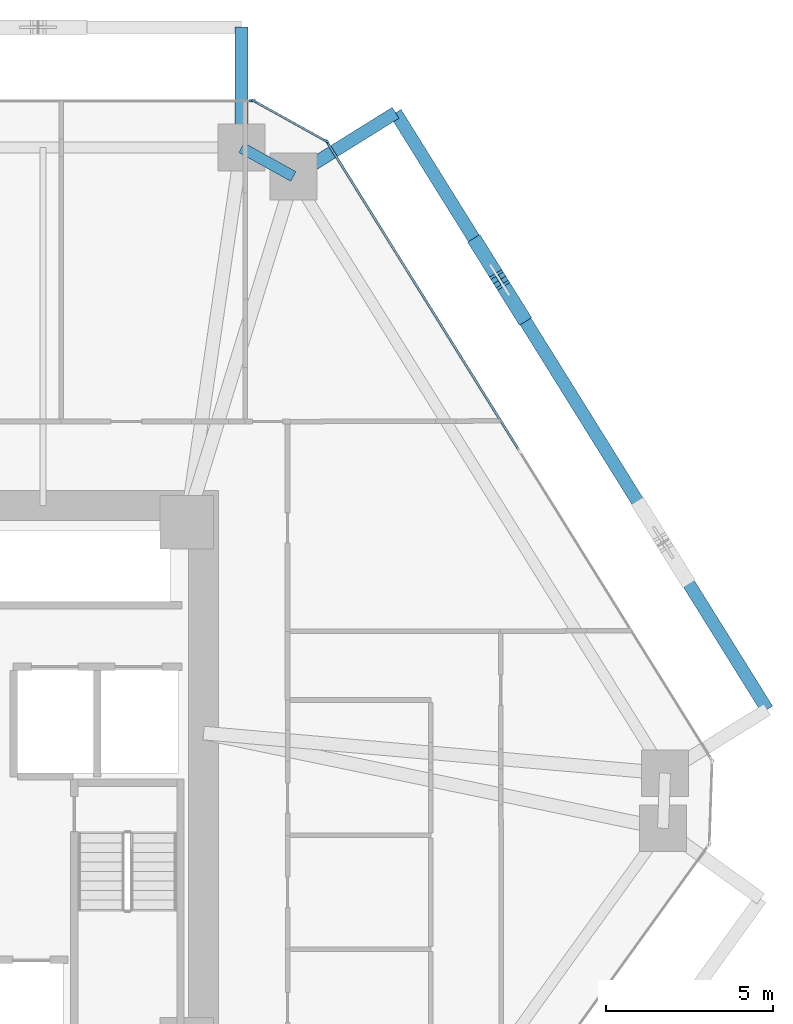
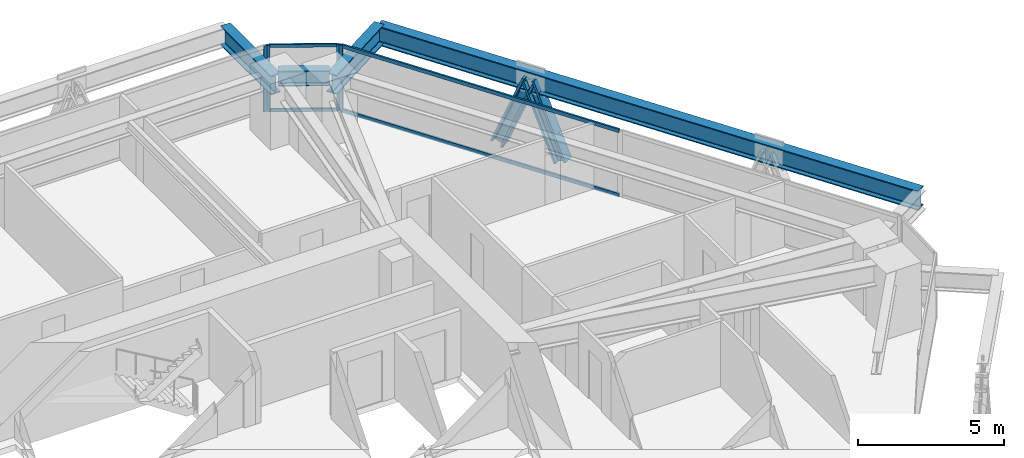
# One storey, part 9 of 18: 10 members, 4 beams, 3 elements without a shape of their own.
"""IFC4 building model written with IfcOpenShell, lengths in metres."""

from ifc_helpers import new_model, si_unit, direction, frame, origin, origin_2d, place, context, subcontext, project, spatial, rectangle, i_section, extrude, source, transform, mapped, material, layer, layer_set, material_profile, profile_set, type_object, type_shapes, element, aggregate, save


model = new_model("IFC4")

# Units and contexts
model_context = context("Model", 3, precision=1e-05, world=origin(), true_north=direction((0.0, 1.0)))
body_context = subcontext(model_context, "Body", "Model", "MODEL_VIEW")
ifc_project = project(units=[si_unit("LENGTHUNIT", "METRE"), si_unit("AREAUNIT", "SQUARE_METRE"), si_unit("VOLUMEUNIT", "CUBIC_METRE"), si_unit("PLANEANGLEUNIT", "RADIAN"), si_unit("MASSUNIT", "GRAM", prefix="KILO")], contexts=[model_context])

# Site, building, storey
site_placement = place(None, origin())
site = spatial("IfcSite", under=ifc_project, at=site_placement, CompositionType="ELEMENT")
building_placement = place(site_placement, origin())
building = spatial("IfcBuilding", under=site, at=building_placement, Name="Durnholm Broadcast Tower", CompositionType="ELEMENT")
storey_placement = place(building_placement, frame((0.0, 0.0, 78.300048828125)))
storey = spatial("IfcBuildingStorey", under=building, at=storey_placement, Name="L20", CompositionType="ELEMENT", Elevation=78.300048828125)

# Beams
ifc_material_1 = material(Name="Steel ASTM A992 Grade 50", Category="steel")
ifc_material_profile_1 = material_profile(ifc_material_1, i_section(OverallWidth=0.3291015625, OverallDepth=0.635009765625, WebThickness=0.017822265625, FlangeThickness=0.031005859375, FilletRadius=0.02783203125, at=origin_2d()), Name="W24X162")
ifc_profile_set_1 = profile_set([ifc_material_profile_1], Name="Steel ASTM A992 Grade 50")
beam_type_1 = type_object("IfcBeamType", Name="STL-SP-W24X162", PredefinedType="SPANDREL", material=ifc_profile_set_1)
shared_shape_1 = source(origin(), body_context, "Body", "SweptSolid", [
    extrude(i_section(OverallWidth=0.3291015625, OverallDepth=0.635009765625, WebThickness=0.017822265625, FlangeThickness=0.031005859375, FilletRadius=0.02783203125, at=origin_2d()), origin(), (0.0, 0.0, 1.0), 1.774658203125),
])
type_shapes(beam_type_1, [shared_shape_1])
beam_1_placement = place(storey_placement, frame((11.43115234375, 19.0, 2.427490234375), z_axis=(0.874248107979, -0.485479397806, 0.0), x_axis=(0.485479397806, 0.874248107979, 0.0)))
element("IfcBeam", 1, at=beam_1_placement, inside=storey, type_object=beam_type_1, Name="L20 perimeter spandrel girder 06", PredefinedType="SPANDREL", context=body_context, shape_type="MappedRepresentation", body=[
    mapped(shared_shape_1, transform((0.0, 0.0, 0.0), x_axis=(1.0, 0.0, 0.0), y_axis=(0.0, 1.0, 0.0), z_axis=(0.0, 0.0, 1.0), scale=1.0)),
])
ifc_material_profile_2 = material_profile(ifc_material_1, i_section(OverallWidth=0.385009765625, OverallDepth=0.802978515625, WebThickness=0.023681640625, FlangeThickness=0.0419921875, FilletRadius=0.032958984375, at=origin_2d()), Name="W30X261")
ifc_profile_set_2 = profile_set([ifc_material_profile_2], Name="Steel ASTM A992 Grade 50")
beam_type_2 = type_object("IfcBeamType", Name="BM-EXO-TIE", PredefinedType="USERDEFINED", material=ifc_profile_set_2)
shared_shape_2 = source(origin(), body_context, "Body", "SweptSolid", [
    extrude(i_section(OverallWidth=0.385009765625, OverallDepth=0.802978515625, WebThickness=0.023681640625, FlangeThickness=0.0419921875, FilletRadius=0.032958984375, at=origin_2d()), origin(), (0.0, 0.0, 1.0), 3.4560546875),
])
for number, where, z_axis, x_axis, name in (
    (2, (13.10498046875, 18.214599609375, 2.008544921875), (0.848854443891, 0.528626648105, 0.0), (-0.528626648105, 0.848854443891, 0.0), "L20 exoskeleton stand-off tie bracket F3.2"),
    (3, (11.43115234375, 19.14404296875, 2.008544921875), (0.0, 1.0, 0.0), (-1.0, 0.0, 0.0), "L20 exoskeleton stand-off tie bracket F4.1"),
):
    element("IfcBeam", number, at=place(storey_placement, frame(where, z_axis=z_axis, x_axis=x_axis)), inside=storey, type_object=beam_type_2, Name=name, ObjectType="GIRDER", PredefinedType="USERDEFINED", context=body_context, shape_type="MappedRepresentation", body=[
        mapped(shared_shape_2, transform((0.0, 0.0, 0.0), x_axis=(1.0, 0.0, 0.0), y_axis=(0.0, 1.0, 0.0), z_axis=(0.0, 0.0, 1.0), scale=1.0)),
    ])
shared_shape_3 = source(origin(), body_context, "Body", "SweptSolid", [
    extrude(i_section(OverallWidth=0.385009765625, OverallDepth=0.802978515625, WebThickness=0.023681640625, FlangeThickness=0.0419921875, FilletRadius=0.032958984375, at=origin_2d()), origin(), (0.0, 0.0, 1.0), 21.0146484375),
])
type_shapes(beam_type_2, [shared_shape_2, shared_shape_3])
beam_2_placement = place(storey_placement, frame((27.146728515625, 2.20263671875, 2.008544921875), z_axis=(-0.528590518575, 0.848876942597, 0.0), x_axis=(-0.848876942597, -0.528590518575, 0.0)))
element("IfcBeam", 4, at=beam_2_placement, inside=storey, type_object=beam_type_2, Name="L20 exoskeleton collector spandrel F3", PredefinedType="SPANDREL", context=body_context, shape_type="MappedRepresentation", body=[
    mapped(shared_shape_3, transform((0.0, 0.0, 0.0), x_axis=(1.0, 0.0, 0.0), y_axis=(0.0, 1.0, 0.0), z_axis=(0.0, 0.0, 1.0), scale=1.0)),
])

# Members
ifc_material_2 = material(Name="Steel ASTM A913 Grade 65", Category="steel")
ifc_material_profile_3 = material_profile(ifc_material_2, i_section(OverallWidth=0.43212890625, OverallDepth=0.497802734375, WebThickness=0.0556640625, FlangeThickness=0.0888671875, FilletRadius=0.030517578125, at=origin_2d()), Name="W14X500")
ifc_profile_set_3 = profile_set([ifc_material_profile_3], Name="Steel ASTM A913 Grade 65")
member_type_1 = type_object("IfcMemberType", Name="STL-DG-W14X500", PredefinedType="BRACE", material=ifc_profile_set_3)
shared_shape_4 = source(origin(), body_context, "Body", "SweptSolid", [
    extrude(i_section(OverallWidth=0.43212890625, OverallDepth=0.497802734375, WebThickness=0.0556640625, FlangeThickness=0.0888671875, FilletRadius=0.030517578125, at=origin_2d()), origin(), (0.0, 0.0, 1.0), 3.243896484375),
])
type_shapes(member_type_1, [shared_shape_4])
for number, where, z_axis, x_axis, name in (
    (5, (19.801025390625, 13.9990234375, -0.991455078125), (-0.201029867597, 0.322882116058, 0.9248427604), (-0.848908635391, -0.528539618911, 0.0), "L20 stand-off diagrid brace F3.D2.1"),
    (6, (18.496826171875, 16.09375, -0.991455078125), (0.201029867597, -0.322882116058, 0.9248427604), (0.848908635391, 0.528539618911, 0.0), "L20 stand-off diagrid brace F3.D2.2"),
):
    element("IfcMember", number, at=place(storey_placement, frame(where, z_axis=z_axis, x_axis=x_axis)), inside=storey, type_object=member_type_1, Name=name, PredefinedType="BRACE", context=body_context, shape_type="MappedRepresentation", body=[
        mapped(shared_shape_4, transform((0.0, 0.0, 0.0), x_axis=(1.0, 0.0, 0.0), y_axis=(0.0, 1.0, 0.0), z_axis=(0.0, 0.0, 1.0), scale=1.0)),
    ])

# Curtain wall, members
ifc_material_3 = material(Name="Aluminium and Solar Control IGU", Category="aluminium")
ifc_layer_1 = layer(ifc_material_3, 0.1650390625)
ifc_layer_set_1 = layer_set([ifc_layer_1], Name="Aluminium and Solar Control IGU")
curtain_wall_type_1 = type_object("IfcCurtainWallType", Name="CW-SYS-5", PredefinedType="NOTDEFINED", material=ifc_layer_set_1)
curtain_wall_1_placement = place(storey_placement, origin())
curtain_wall_1 = element("IfcCurtainWall", 7, at=curtain_wall_1_placement, inside=storey, type_object=curtain_wall_type_1, Name="L20 curtain wall CW-CORNER CW-L20-CRN-05", PredefinedType="NOTDEFINED")
ifc_material_4 = material(Name="Aluminium 6063-T6", Category="aluminium")
ifc_material_profile_4 = material_profile(ifc_material_4, rectangle(XDim=0.06494140625, YDim=0.1298828125, at=origin_2d()), Name="CWT65X130")
ifc_profile_set_4 = profile_set([ifc_material_profile_4], Name="Aluminium 6063-T6")
member_type_2 = type_object("IfcMemberType", Name="CW-SYS-5-TRN", PredefinedType="USERDEFINED", material=ifc_profile_set_4)
shared_shape_5 = source(origin(), body_context, "Body", "SweptSolid", [
    extrude(rectangle(XDim=0.06494140625, YDim=0.1298828125, at=origin_2d()), origin(), (0.0, 0.0, 1.0), 2.3701171875),
])
type_shapes(member_type_2, [shared_shape_5])
member_1_placement = place(storey_placement, frame((11.8505859375, 20.368408203125, 0.032470703125), z_axis=(0.874244723151, -0.485485493132, 0.0), x_axis=(0.485485493132, 0.874244723151, 0.0)))
member_1 = element("IfcMember", 8, at=member_1_placement, type_object=member_type_2, Name="CW-CORNER transom 1.1", ObjectType="TRANSOM", PredefinedType="USERDEFINED", context=body_context, shape_type="MappedRepresentation", body=[
    mapped(shared_shape_5, transform((0.0, 0.0, 0.0), x_axis=(1.0, 0.0, 0.0), y_axis=(0.0, 1.0, 0.0), z_axis=(0.0, 0.0, 1.0), scale=1.0)),
])
member_2_placement = place(storey_placement, frame((11.8505859375, 20.368408203125, 2.7275390625), z_axis=(0.874244723151, -0.485485493132, 0.0), x_axis=(0.485485493132, 0.874244723151, 0.0)))
member_2 = element("IfcMember", 9, at=member_2_placement, type_object=member_type_2, Name="CW-CORNER transom 1.2", ObjectType="TRANSOM", PredefinedType="USERDEFINED", context=body_context, shape_type="MappedRepresentation", body=[
    mapped(shared_shape_5, transform((0.0, 0.0, 0.0), x_axis=(1.0, 0.0, 0.0), y_axis=(0.0, 1.0, 0.0), z_axis=(0.0, 0.0, 1.0), scale=1.0)),
])

ifc_layer_2 = layer(ifc_material_3, 0.18994140625)
ifc_layer_set_2 = layer_set([ifc_layer_2], Name="Aluminium and Solar Control IGU")
curtain_wall_type_2 = type_object("IfcCurtainWallType", Name="CW-SYS-3", PredefinedType="NOTDEFINED", material=ifc_layer_set_2)
curtain_wall_2_placement = place(storey_placement, origin())
curtain_wall_2 = element("IfcCurtainWall", 10, at=curtain_wall_2_placement, inside=storey, type_object=curtain_wall_type_2, Name="L20 curtain wall CW-Z12-VIS CW-L20-F06", PredefinedType="NOTDEFINED")
ifc_material_profile_5 = material_profile(ifc_material_4, rectangle(XDim=0.070068359375, YDim=0.14990234375, at=origin_2d()), Name="CWT70X150")
ifc_profile_set_5 = profile_set([ifc_material_profile_5], Name="Aluminium 6063-T6")
member_type_3 = type_object("IfcMemberType", Name="CW-SYS-3-TRN", PredefinedType="USERDEFINED", material=ifc_profile_set_5)
shared_shape_6 = source(origin(), body_context, "Body", "SweptSolid", [
    extrude(rectangle(XDim=0.070068359375, YDim=0.14990234375, at=origin_2d()), origin(), (0.0, 0.0, 1.0), 10.796630859375),
])
type_shapes(member_type_3, [shared_shape_6])
member_3_placement = place(storey_placement, frame((14.016357421875, 19.126953125, 0.034912109375), z_axis=(0.528591657678, -0.848876233283, 0.0), x_axis=(0.848876233283, 0.528591657678, 0.0)))
member_3 = element("IfcMember", 11, at=member_3_placement, type_object=member_type_3, Name="CW-Z12-VIS transom 1.1", ObjectType="TRANSOM", PredefinedType="USERDEFINED", context=body_context, shape_type="MappedRepresentation", body=[
    mapped(shared_shape_6, transform((0.0, 0.0, 0.0), x_axis=(1.0, 0.0, 0.0), y_axis=(0.0, 1.0, 0.0), z_axis=(0.0, 0.0, 1.0), scale=1.0)),
])
member_4_placement = place(storey_placement, frame((14.016357421875, 19.126953125, 2.724853515625), z_axis=(0.528591657678, -0.848876233283, 0.0), x_axis=(0.848876233283, 0.528591657678, 0.0)))
member_4 = element("IfcMember", 12, at=member_4_placement, type_object=member_type_3, Name="CW-Z12-VIS transom 1.2", ObjectType="TRANSOM", PredefinedType="USERDEFINED", context=body_context, shape_type="MappedRepresentation", body=[
    mapped(shared_shape_6, transform((0.0, 0.0, 0.0), x_axis=(1.0, 0.0, 0.0), y_axis=(0.0, 1.0, 0.0), z_axis=(0.0, 0.0, 1.0), scale=1.0)),
])

# Member
ifc_material_profile_6 = material_profile(ifc_material_4, rectangle(XDim=0.06494140625, YDim=0.1650390625, at=origin_2d()), Name="CWM65X165")
ifc_profile_set_6 = profile_set([ifc_material_profile_6], Name="Aluminium 6063-T6")
member_type_4 = type_object("IfcMemberType", Name="CW-SYS-5-MUL", PredefinedType="MULLION", material=ifc_profile_set_6)
shared_shape_7 = source(origin(), body_context, "Body", "SweptSolid", [
    extrude(rectangle(XDim=0.06494140625, YDim=0.1650390625, at=origin_2d()), origin(), (0.0, 0.0, 1.0), 2.760009765625),
])
type_shapes(member_type_4, [shared_shape_7])
member_5_placement = place(storey_placement, frame((11.822265625, 20.38427734375, 0.0), z_axis=(0.0, 0.0, 1.0), x_axis=(0.485483299359, 0.874245941394, 0.0)))
member_5 = element("IfcMember", 13, at=member_5_placement, type_object=member_type_4, Name="CW-CORNER mullion 1", PredefinedType="MULLION", context=body_context, shape_type="MappedRepresentation", body=[
    mapped(shared_shape_7, transform((0.0, 0.0, 0.0), x_axis=(1.0, 0.0, 0.0), y_axis=(0.0, 1.0, 0.0), z_axis=(0.0, 0.0, 1.0), scale=1.0)),
])

member_6_placement = place(storey_placement, frame((13.950927734375, 19.2021484375, 0.0), z_axis=(0.0, 0.0, 1.0), x_axis=(0.485483299359, 0.874245941394, 0.0)))
member_6 = element("IfcMember", 14, at=member_6_placement, type_object=member_type_4, Name="CW-CORNER mullion 2", PredefinedType="MULLION", context=body_context, shape_type="MappedRepresentation", body=[
    mapped(shared_shape_7, transform((0.0, 0.0, 0.0), x_axis=(1.0, 0.0, 0.0), y_axis=(0.0, 1.0, 0.0), z_axis=(0.0, 0.0, 1.0), scale=1.0)),
])

aggregate(curtain_wall_1, [member_5, member_6, member_1, member_2])

# Curtain wall, member
curtain_wall_3_placement = place(storey_placement, origin())
curtain_wall_3 = element("IfcCurtainWall", 15, at=curtain_wall_3_placement, inside=storey, type_object=curtain_wall_type_2, Name="L20 curtain wall CW-Z12-VIS CW-L20-F04", PredefinedType="NOTDEFINED")
ifc_material_profile_7 = material_profile(ifc_material_4, rectangle(XDim=0.070068359375, YDim=0.18994140625, at=origin_2d()), Name="CWM70X190")
ifc_profile_set_7 = profile_set([ifc_material_profile_7], Name="Aluminium 6063-T6")
member_type_5 = type_object("IfcMemberType", Name="CW-SYS-3-MUL", PredefinedType="MULLION", material=ifc_profile_set_7)
shared_shape_8 = source(origin(), body_context, "Body", "SweptSolid", [
    extrude(rectangle(XDim=0.070068359375, YDim=0.18994140625, at=origin_2d()), origin(), (0.0, 0.0, 1.0), 2.760009765625),
])
type_shapes(member_type_5, [shared_shape_8])
member_7_placement = place(storey_placement, frame((11.7587890625, 20.39990234375, 0.0), z_axis=(0.0, 0.0, 1.0), x_axis=(0.0, 1.0, 0.0)))
member_7 = element("IfcMember", 16, at=member_7_placement, type_object=member_type_5, Name="CW-Z12-VIS mullion 3", PredefinedType="MULLION", context=body_context, shape_type="MappedRepresentation", body=[
    mapped(shared_shape_8, transform((0.0, 0.0, 0.0), x_axis=(1.0, 0.0, 0.0), y_axis=(0.0, 1.0, 0.0), z_axis=(0.0, 0.0, 1.0), scale=1.0)),
])
aggregate(curtain_wall_3, [member_7])

# Member
member_8_placement = place(storey_placement, frame((13.997802734375, 19.156494140625, 0.0), z_axis=(0.0, 0.0, 1.0), x_axis=(0.848875785503, 0.528592376777, 0.0)))
member_8 = element("IfcMember", 17, at=member_8_placement, type_object=member_type_5, Name="CW-Z12-VIS mullion 1", PredefinedType="MULLION", context=body_context, shape_type="MappedRepresentation", body=[
    mapped(shared_shape_8, transform((0.0, 0.0, 0.0), x_axis=(1.0, 0.0, 0.0), y_axis=(0.0, 1.0, 0.0), z_axis=(0.0, 0.0, 1.0), scale=1.0)),
])

aggregate(curtain_wall_2, [member_8, member_3, member_4])

save(model, "model.ifc")
